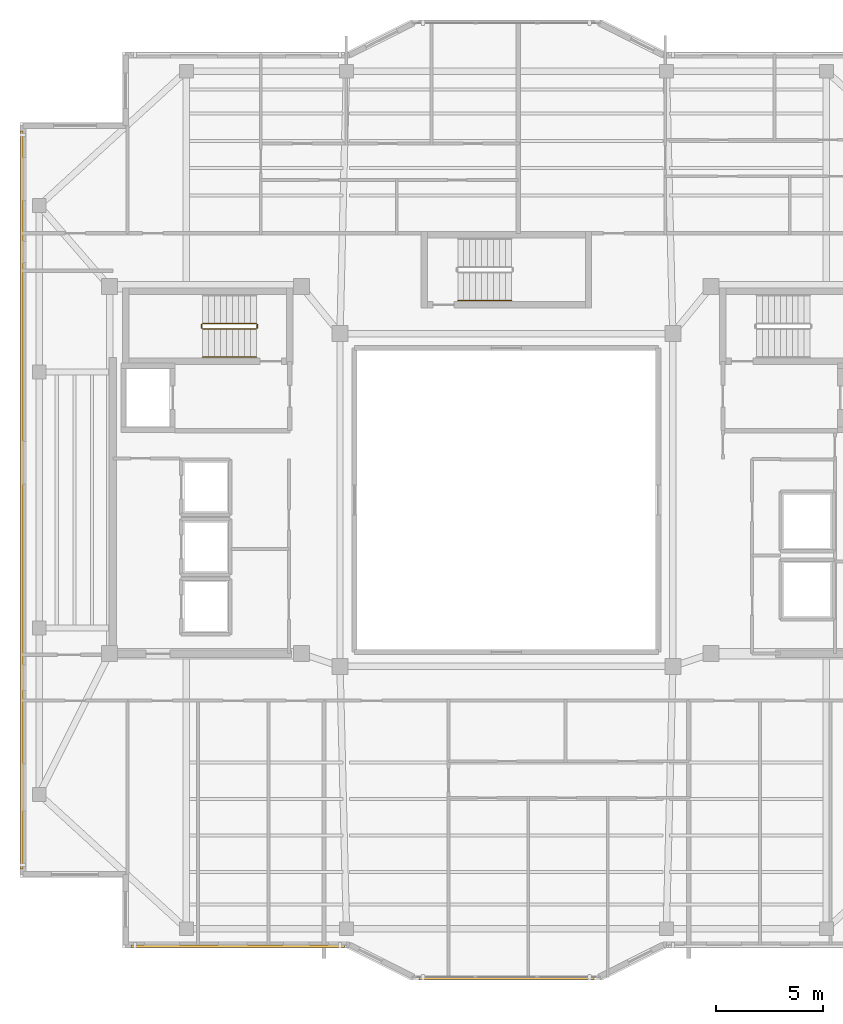
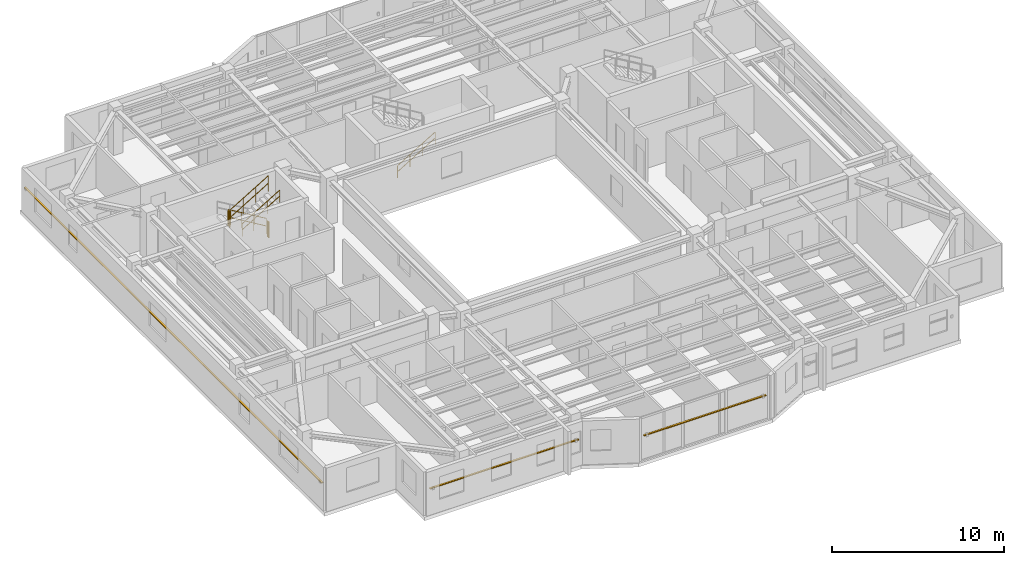
# One storey, part 11 of 13: 6 railings, 3 shading devices.
"""IFC4 building model written with IfcOpenShell, lengths in metres."""

from ifc_helpers import new_model, si_unit, direction, frame, origin, origin_2d, place, context, subcontext, project, spatial, rectangle, circle, extrude, material, material_profile, profile_set, type_object, element, save


model = new_model("IFC4")

# Units and contexts
model_context = context("Model", 3, precision=1e-05, world=origin(), true_north=direction((0.0, 1.0)))
body_context = subcontext(model_context, "Body", "Model", "MODEL_VIEW")
ifc_project = project(units=[si_unit("LENGTHUNIT", "METRE"), si_unit("AREAUNIT", "SQUARE_METRE"), si_unit("VOLUMEUNIT", "CUBIC_METRE"), si_unit("PLANEANGLEUNIT", "RADIAN"), si_unit("MASSUNIT", "GRAM", prefix="KILO")], contexts=[model_context])

# Site, building, storey
site_placement = place(None, origin())
site = spatial("IfcSite", under=ifc_project, at=site_placement, CompositionType="ELEMENT")
building_placement = place(site_placement, origin())
building = spatial("IfcBuilding", under=site, at=building_placement, Name="Tarnavaz Court Tower", CompositionType="ELEMENT")
storey_placement = place(building_placement, frame((0.0, 0.0, 248.199951171875)))
storey = spatial("IfcBuildingStorey", under=building, at=storey_placement, Name="L67", CompositionType="ELEMENT", Elevation=248.199951171875)

# Railings
ifc_material_1 = material(Name="Brushed Stainless Steel", Category="steel")
railing_type_1 = type_object("IfcRailingType", Name="RL-HANDRAIL-900", PredefinedType="HANDRAIL", material=ifc_material_1)
for number, where, name in (
    (1, (-14.239990234375, 6.699951171875, 1.842529296875), "L67 ST-W1 stair handrail 2"),
    (2, (-2.280029296875, 9.35009765625, 0.16748046875), "L67 ST-N1 stair handrail 1"),
):
    element("IfcRailing", number, at=place(storey_placement, frame(where)), inside=storey, type_object=railing_type_1, Name=name, PredefinedType="HANDRAIL", context=body_context, shape_type="SweptSolid", body=[
        extrude(circle(Radius=0.02392578125, at=origin_2d()), frame((0.0, 0.0, 0.8759765625), z_axis=(0.858159760407, 0.0, 0.513382728203), x_axis=(0.0, 1.0, 0.0)), (0.0, 0.0, 1.0), 2.9365234375),
        extrude(circle(Radius=0.02392578125, at=origin_2d()), frame((0.0, 0.0, 0.449951171875), z_axis=(0.858159760407, 0.0, 0.513382728203), x_axis=(0.0, 1.0, 0.0)), (0.0, 0.0, 1.0), 2.9365234375),
        extrude(circle(Radius=0.02099609375, at=origin_2d()), origin(), (0.0, 0.0, 1.0), 0.851806640625),
        extrude(circle(Radius=0.02099609375, at=origin_2d()), frame((0.840087890625, 0.0, 0.50244140625)), (0.0, 0.0, 1.0), 0.851806640625),
        extrude(circle(Radius=0.02099609375, at=origin_2d()), frame((1.679931640625, 0.0, 1.005126953125)), (0.0, 0.0, 1.0), 0.851806640625),
        extrude(circle(Radius=0.02099609375, at=origin_2d()), frame((2.52001953125, 0.0, 1.507568359375)), (0.0, 0.0, 1.0), 0.851806640625),
    ])
ifc_material_2 = material(Name="Galvanized Painted Tubular Steel", Category="steel")
railing_type_2 = type_object("IfcRailingType", Name="RL-STGUARD-1120", PredefinedType="GUARDRAIL", material=ifc_material_2)
railing_1_placement = place(storey_placement, frame((-11.719970703125, 8.27001953125, 0.16748046875)))
element("IfcRailing", 3, at=railing_1_placement, inside=storey, type_object=railing_type_2, Name="L67 ST-W1 stair guard 1", PredefinedType="GUARDRAIL", context=body_context, shape_type="SweptSolid", body=[
    extrude(circle(Radius=0.02392578125, at=origin_2d()), frame((0.0, 0.0, 1.09619140625), z_axis=(-0.858159760407, 0.0, 0.513382728203), x_axis=(0.0, -1.0, 0.0)), (0.0, 0.0, 1.0), 2.9365234375),
    extrude(circle(Radius=0.02392578125, at=origin_2d()), frame((0.0, 0.0, 0.56005859375), z_axis=(-0.858159760407, 0.0, 0.513382728203), x_axis=(0.0, -1.0, 0.0)), (0.0, 0.0, 1.0), 2.9365234375),
    extrude(circle(Radius=0.02099609375, at=origin_2d()), origin(), (0.0, 0.0, 1.0), 1.072021484375),
    extrude(circle(Radius=0.02099609375, at=origin_2d()), frame((-0.840087890625, 0.0, 0.50244140625)), (0.0, 0.0, 1.0), 1.072021484375),
    extrude(circle(Radius=0.02099609375, at=origin_2d()), frame((-1.679931640625, 0.0, 1.005126953125)), (0.0, 0.0, 1.0), 1.072021484375),
    extrude(circle(Radius=0.02099609375, at=origin_2d()), frame((-2.52001953125, 0.0, 1.507568359375)), (0.0, 0.0, 1.0), 1.072021484375),
])
railing_2_placement = place(storey_placement, frame((-14.2900390625, 8.219970703125, 1.675048828125)))
element("IfcRailing", 4, at=railing_2_placement, inside=storey, type_object=railing_type_2, Name="L67 ST-W1 stair guard 2", PredefinedType="GUARDRAIL", context=body_context, shape_type="SweptSolid", body=[
    extrude(circle(Radius=0.02392578125, at=origin_2d()), frame((0.0, 0.0, 1.09619140625), z_axis=(0.0, -1.0, 0.0), x_axis=(1.0, 0.0, 0.0)), (0.0, 0.0, 1.0), 0.14990234375),
    extrude(circle(Radius=0.02392578125, at=origin_2d()), frame((0.0, 0.0, 0.56005859375), z_axis=(0.0, -1.0, 0.0), x_axis=(1.0, 0.0, 0.0)), (0.0, 0.0, 1.0), 0.14990234375),
    extrude(circle(Radius=0.02099609375, at=origin_2d()), origin(), (0.0, 0.0, 1.0), 1.072021484375),
    extrude(circle(Radius=0.02099609375, at=origin_2d()), frame((0.0, -0.14990234375, 0.0)), (0.0, 0.0, 1.0), 1.072021484375),
])
railing_3_placement = place(storey_placement, frame((-14.239990234375, 8.02001953125, 1.842529296875)))
element("IfcRailing", 5, at=railing_3_placement, inside=storey, type_object=railing_type_2, Name="L67 ST-W1 stair guard 3", PredefinedType="GUARDRAIL", context=body_context, shape_type="SweptSolid", body=[
    extrude(circle(Radius=0.02392578125, at=origin_2d()), frame((0.0, 0.0, 1.09619140625), z_axis=(0.858159760407, 0.0, 0.513382728203), x_axis=(0.0, 1.0, 0.0)), (0.0, 0.0, 1.0), 2.9365234375),
    extrude(circle(Radius=0.02392578125, at=origin_2d()), frame((0.0, 0.0, 0.56005859375), z_axis=(0.858159760407, 0.0, 0.513382728203), x_axis=(0.0, 1.0, 0.0)), (0.0, 0.0, 1.0), 2.9365234375),
    extrude(circle(Radius=0.02099609375, at=origin_2d()), origin(), (0.0, 0.0, 1.0), 1.072021484375),
    extrude(circle(Radius=0.02099609375, at=origin_2d()), frame((0.840087890625, 0.0, 0.50244140625)), (0.0, 0.0, 1.0), 1.072021484375),
    extrude(circle(Radius=0.02099609375, at=origin_2d()), frame((1.679931640625, 0.0, 1.005126953125)), (0.0, 0.0, 1.0), 1.072021484375),
    extrude(circle(Radius=0.02099609375, at=origin_2d()), frame((2.52001953125, 0.0, 1.507568359375)), (0.0, 0.0, 1.0), 1.072021484375),
])
railing_4_placement = place(storey_placement, frame((-11.669921875, 8.219970703125, 0.0)))
element("IfcRailing", 6, at=railing_4_placement, inside=storey, type_object=railing_type_2, Name="L67 ST-W1 stair guard 4", PredefinedType="GUARDRAIL", context=body_context, shape_type="SweptSolid", body=[
    extrude(circle(Radius=0.02392578125, at=origin_2d()), frame((0.0, 0.0, 1.09619140625), z_axis=(0.0, -1.0, 0.0), x_axis=(1.0, 0.0, 0.0)), (0.0, 0.0, 1.0), 0.14990234375),
    extrude(circle(Radius=0.02392578125, at=origin_2d()), frame((0.0, 0.0, 0.56005859375), z_axis=(0.0, -1.0, 0.0), x_axis=(1.0, 0.0, 0.0)), (0.0, 0.0, 1.0), 0.14990234375),
    extrude(circle(Radius=0.02099609375, at=origin_2d()), origin(), (0.0, 0.0, 1.0), 1.072021484375),
    extrude(circle(Radius=0.02099609375, at=origin_2d()), frame((0.0, -0.14990234375, 0.0)), (0.0, 0.0, 1.0), 1.072021484375),
])

# Shading devices
ifc_material_3 = material(Name="Kiln-Fired Khorasan Terracotta Ceramic", Category="masonry")
ifc_material_profile = material_profile(ifc_material_3, rectangle(XDim=0.1201171875, YDim=0.06005859375, at=origin_2d()), Name="TC BAGUETTE 120X60")
ifc_profile_set = profile_set([ifc_material_profile], Name="Kiln-Fired Khorasan Terracotta Ceramic")
shading_device_type = type_object("IfcShadingDeviceType", Name="SD-BAG-120", PredefinedType="USERDEFINED", material=ifc_profile_set)
shading_device_1_placement = place(storey_placement, frame((-22.7099609375, -17.300048828125, 1.85009765625), z_axis=(0.0, 1.0, 0.0), x_axis=(-1.0, 0.0, 0.0)))
element("IfcShadingDevice", 7, at=shading_device_1_placement, inside=storey, type_object=shading_device_type, Name="L67 Terracotta Baguette Screen FBG02", ObjectType="BAGUETTE", PredefinedType="USERDEFINED", context=body_context, shape_type="SweptSolid", body=[
    extrude(rectangle(XDim=0.1201171875, YDim=0.06005859375, at=origin_2d()), origin(), (0.0, 0.0, 1.0), 34.60009765625),
])
shading_device_2_placement = place(storey_placement, frame((4.10009765625, -22.409912109375, 1.800048828125), z_axis=(-1.0, 0.0, 0.0), x_axis=(0.0, -1.0, 0.0)))
element("IfcShadingDevice", 8, at=shading_device_2_placement, inside=storey, type_object=shading_device_type, Name="L67 Terracotta Baguette Screen PBG17", ObjectType="BAGUETTE", PredefinedType="USERDEFINED", context=body_context, shape_type="SweptSolid", body=[
    extrude(rectangle(XDim=0.1201171875, YDim=0.06005859375, at=origin_2d()), origin(), (0.0, 0.0, 1.0), 8.2001953125),
])
shading_device_3_placement = place(storey_placement, frame((-7.60009765625, -20.909912109375, 1.85009765625), z_axis=(-1.0, 0.0, 0.0), x_axis=(0.0, -1.0, 0.0)))
element("IfcShadingDevice", 9, at=shading_device_3_placement, inside=storey, type_object=shading_device_type, Name="L67 Terracotta Baguette Screen FBG19", ObjectType="BAGUETTE", PredefinedType="USERDEFINED", context=body_context, shape_type="SweptSolid", body=[
    extrude(rectangle(XDim=0.1201171875, YDim=0.06005859375, at=origin_2d()), origin(), (0.0, 0.0, 1.0), 10.0),
])

save(model, "model.ifc")
